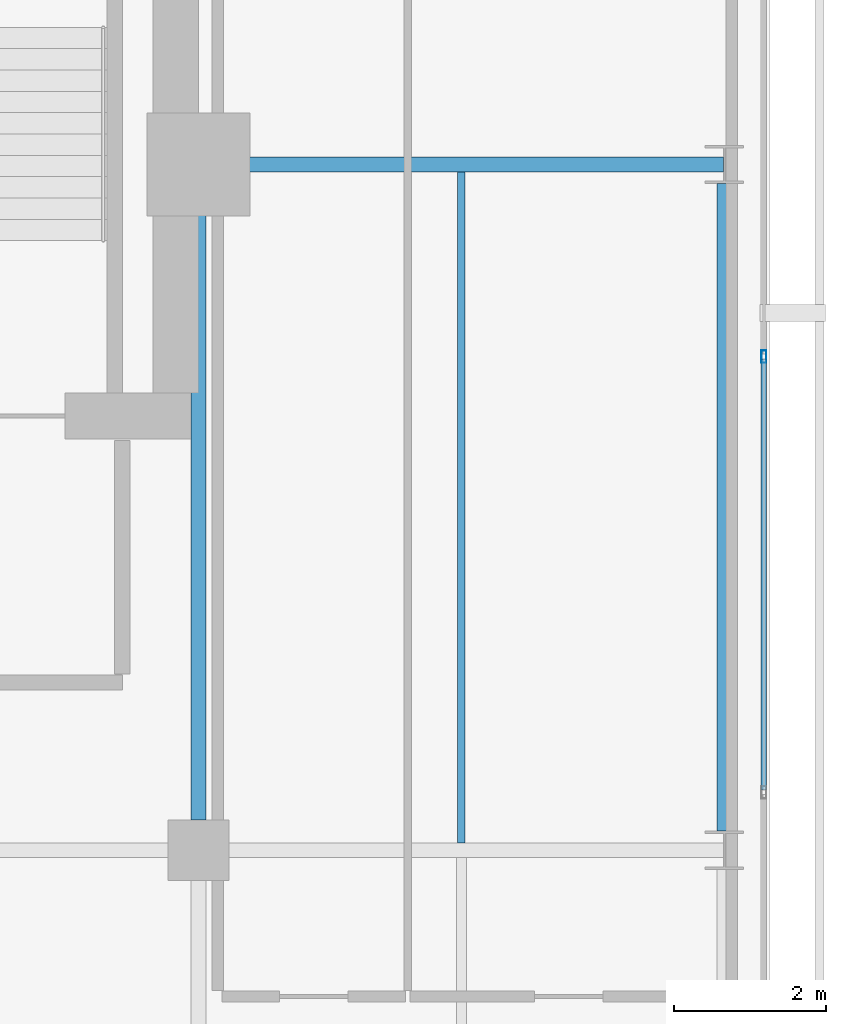
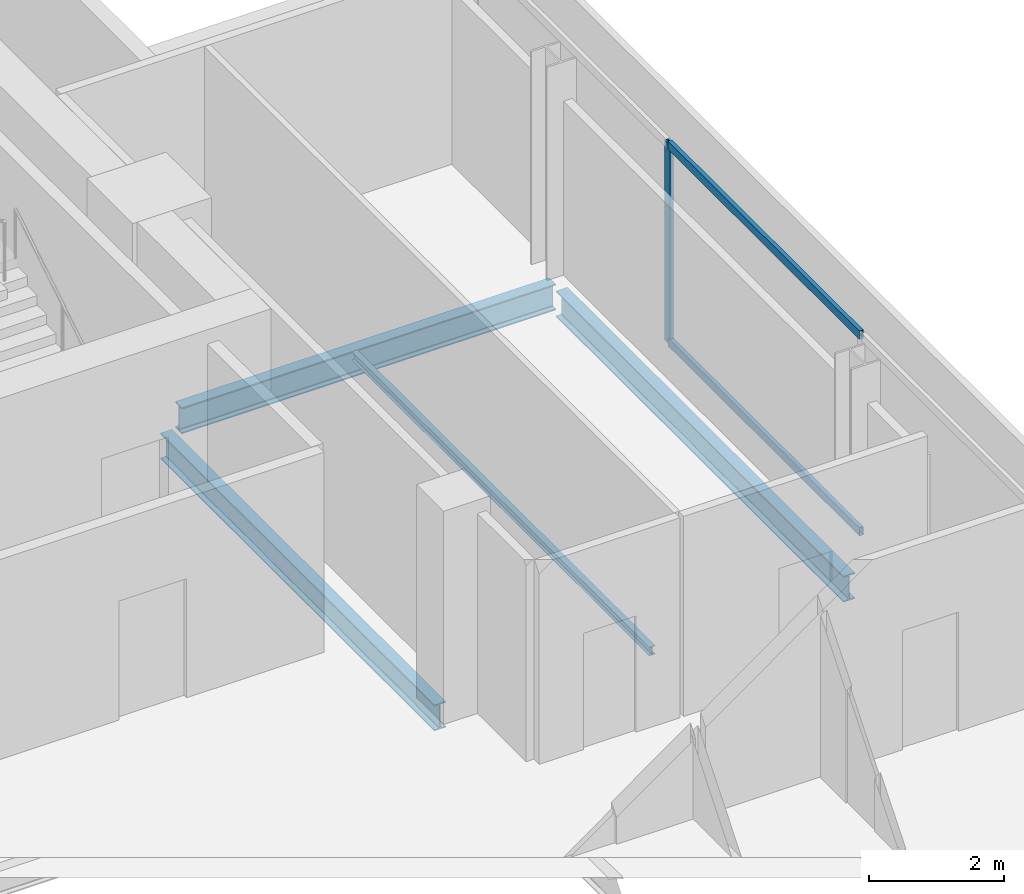
# One storey, part 13 of 24: 4 beams, 3 members, 1 element without a shape of its own.
"""IFC4 building model written with IfcOpenShell, lengths in metres."""

from ifc_helpers import new_model, si_unit, direction, frame, origin, origin_2d, place, context, subcontext, project, spatial, hollow_rectangle, i_section, extrude, material, layer, layer_set, material_profile, profile_set, type_object, element, aggregate, save


model = new_model("IFC4")

# Units and contexts
model_context = context("Model", 3, precision=1e-05, world=origin(), true_north=direction((0.0, 1.0)))
body_context = subcontext(model_context, "Body", "Model", "MODEL_VIEW")
ifc_project = project(units=[si_unit("LENGTHUNIT", "METRE"), si_unit("AREAUNIT", "SQUARE_METRE"), si_unit("VOLUMEUNIT", "CUBIC_METRE"), si_unit("PLANEANGLEUNIT", "RADIAN"), si_unit("MASSUNIT", "GRAM", prefix="KILO")], contexts=[model_context])

# Site, building, storey
site_placement = place(None, origin())
site = spatial("IfcSite", under=ifc_project, at=site_placement, CompositionType="ELEMENT")
building_placement = place(site_placement, origin())
building = spatial("IfcBuilding", under=site, at=building_placement, Name="Maruvema Waterfront Hotel and Observation Tower", CompositionType="ELEMENT")
storey_placement = place(building_placement, frame((0.0, 0.0, 333.550048828125)))
storey = spatial("IfcBuildingStorey", under=building, at=storey_placement, Name="L82", CompositionType="ELEMENT", Elevation=333.550048828125)

# Curtain wall, members
ifc_material_1 = material(Name="Anodised bronze aluminium and solar-control low-E IGU", Category="aluminium")
ifc_layer = layer(ifc_material_1, 0.159912109375, Name="Zone 4 Sky Residence Inner Curtain Wall System CW-05")
ifc_layer_set = layer_set([ifc_layer], Name="Anodised bronze aluminium and solar-control low-E IGU")
curtain_wall_type = type_object("IfcCurtainWallType", Name="Zone 4 Sky Residence Inner Curtain Wall System CW-05", PredefinedType="USERDEFINED", material=ifc_layer_set)
curtain_wall_placement = place(storey_placement, origin())
curtain_wall = element("IfcCurtainWall", 1, at=curtain_wall_placement, inside=storey, type_object=curtain_wall_type, Name="L82 Curtain Wall CW-L82-E", ObjectType="UNITISED CURTAIN WALL", PredefinedType="USERDEFINED")
ifc_material_2 = material(Name="Anodised architectural bronze aluminium", Category="aluminium")
ifc_material_profile_1 = material_profile(ifc_material_2, hollow_rectangle(XDim=0.070068359375, YDim=0.14990234375, WallThickness=0.00390625, at=origin_2d()), Name="ALU-T70x150")
ifc_profile_set_1 = profile_set([ifc_material_profile_1], Name="Anodised architectural bronze aluminium")
member_type_1 = type_object("IfcMemberType", Name="Curtain Wall Horizontal Transom ALU-T70x150", PredefinedType="USERDEFINED", material=ifc_profile_set_1)
member_1_placement = place(storey_placement, frame((57.820068359375, 36.7900390625, 0.030029296875), z_axis=(0.0, 1.0, 0.0), x_axis=(-1.0, 0.0, 0.0)))
member_1 = element("IfcMember", 2, at=member_1_placement, type_object=member_type_1, Name="CW-05 transom 4.1", ObjectType="TRANSOM", PredefinedType="USERDEFINED", context=body_context, shape_type="SweptSolid", body=[
    extrude(hollow_rectangle(XDim=0.070068359375, YDim=0.14990234375, WallThickness=0.00390625, at=origin_2d()), origin(), (0.0, 0.0, 1.0), 5.659912109375),
])
member_2_placement = place(storey_placement, frame((57.820068359375, 36.7900390625, 3.579833984375), z_axis=(0.0, 1.0, 0.0), x_axis=(-1.0, 0.0, 0.0)))
member_2 = element("IfcMember", 3, at=member_2_placement, type_object=member_type_1, Name="CW-05 transom 4.2", ObjectType="TRANSOM", PredefinedType="USERDEFINED", context=body_context, shape_type="SweptSolid", body=[
    extrude(hollow_rectangle(XDim=0.070068359375, YDim=0.14990234375, WallThickness=0.00390625, at=origin_2d()), origin(), (0.0, 0.0, 1.0), 5.659912109375),
])
ifc_material_3 = material(Name="Anodised architectural bronze aluminium", Category="aluminium")
ifc_material_profile_2 = material_profile(ifc_material_3, hollow_rectangle(XDim=0.06494140625, YDim=0.1650390625, WallThickness=0.00390625, at=origin_2d()), Name="ALU-M65x165")
ifc_profile_set_2 = profile_set([ifc_material_profile_2], Name="Anodised architectural bronze aluminium")
member_type_2 = type_object("IfcMemberType", Name="Curtain Wall Primary Mullion ALU-M65x165", PredefinedType="MULLION", material=ifc_profile_set_2)
member_3_placement = place(storey_placement, frame((57.820068359375, 42.47998046875, 0.0), z_axis=(0.0, 0.0, 1.0), x_axis=(-1.0, 0.0, 0.0)))
member_3 = element("IfcMember", 4, at=member_3_placement, type_object=member_type_2, Name="CW-05 mullion 5", PredefinedType="MULLION", context=body_context, shape_type="SweptSolid", body=[
    extrude(hollow_rectangle(XDim=0.06494140625, YDim=0.1650390625, WallThickness=0.00390625, at=origin_2d()), origin(), (0.0, 0.0, 1.0), 3.60986328125),
])
aggregate(curtain_wall, [member_3, member_1, member_2])

# Beams
ifc_material_4 = material(Name="Steel ASTM A572 Grade 50", Category="steel")
ifc_material_profile_3 = material_profile(ifc_material_4, i_section(OverallWidth=0.194091796875, OverallDepth=0.468994140625, WebThickness=0.0126953125, FlangeThickness=0.0205078125, FilletRadius=0.014892578125, at=origin_2d()), Name="W460x106.0")
ifc_profile_set_3 = profile_set([ifc_material_profile_3], Name="Steel ASTM A572 Grade 50")
beam_type_1 = type_object("IfcBeamType", Name="Primary Floor Girder W460x106.0", PredefinedType="BEAM", material=ifc_profile_set_3)
beam_1_placement = place(storey_placement, frame((50.89990234375, 45.0, -0.474609375), z_axis=(1.0, 0.0, 0.0), x_axis=(0.0, 1.0, 0.0)))
element("IfcBeam", 5, at=beam_1_placement, inside=storey, type_object=beam_type_1, Name="L82 Floor Girder EW-16", PredefinedType="BEAM", context=body_context, shape_type="SweptSolid", body=[
    extrude(i_section(OverallWidth=0.194091796875, OverallDepth=0.468994140625, WebThickness=0.0126953125, FlangeThickness=0.0205078125, FilletRadius=0.014892578125, at=origin_2d()), origin(), (0.0, 0.0, 1.0), 6.38916015625),
])
beam_2_placement = place(storey_placement, frame((50.39990234375, 36.39990234375, -0.474609375), z_axis=(0.0, 1.0, 0.0), x_axis=(-1.0, 0.0, 0.0)))
element("IfcBeam", 6, at=beam_2_placement, inside=storey, type_object=beam_type_1, Name="L82 Floor Girder NS-14", PredefinedType="BEAM", context=body_context, shape_type="SweptSolid", body=[
    extrude(i_section(OverallWidth=0.194091796875, OverallDepth=0.468994140625, WebThickness=0.0126953125, FlangeThickness=0.0205078125, FilletRadius=0.014892578125, at=origin_2d()), origin(), (0.0, 0.0, 1.0), 8.10009765625),
])
beam_3_placement = place(storey_placement, frame((57.300048828125, 36.25, -0.474609375), z_axis=(0.0, 1.0, 0.0), x_axis=(-1.0, 0.0, 0.0)))
element("IfcBeam", 7, at=beam_3_placement, inside=storey, type_object=beam_type_1, Name="L82 Floor Girder NS-16", PredefinedType="BEAM", context=body_context, shape_type="SweptSolid", body=[
    extrude(i_section(OverallWidth=0.194091796875, OverallDepth=0.468994140625, WebThickness=0.0126953125, FlangeThickness=0.0205078125, FilletRadius=0.014892578125, at=origin_2d()), origin(), (0.0, 0.0, 1.0), 8.5),
])
ifc_material_5 = material(Name="Steel ASTM A572 Grade 50", Category="steel")
ifc_material_profile_4 = material_profile(ifc_material_5, i_section(OverallWidth=0.10009765625, OverallDepth=0.153076171875, WebThickness=0.005859375, FlangeThickness=0.007080078125, FilletRadius=0.008056640625, at=origin_2d()), Name="W150x18.0")
ifc_profile_set_4 = profile_set([ifc_material_profile_4], Name="Steel ASTM A572 Grade 50")
beam_type_2 = type_object("IfcBeamType", Name="Secondary Floor Joist W150x18.0", PredefinedType="JOIST", material=ifc_profile_set_4)
beam_4_placement = place(storey_placement, frame((53.85009765625, 36.096923828125, -0.316650390625), z_axis=(0.0, 1.0, 0.0), x_axis=(-1.0, 0.0, 0.0)))
element("IfcBeam", 8, at=beam_4_placement, inside=storey, type_object=beam_type_2, Name="L82 Secondary Floor Joist JS-07", PredefinedType="JOIST", context=body_context, shape_type="SweptSolid", body=[
    extrude(i_section(OverallWidth=0.10009765625, OverallDepth=0.153076171875, WebThickness=0.005859375, FlangeThickness=0.007080078125, FilletRadius=0.008056640625, at=origin_2d()), origin(), (0.0, 0.0, 1.0), 8.80615234375),
])

save(model, "model.ifc")
